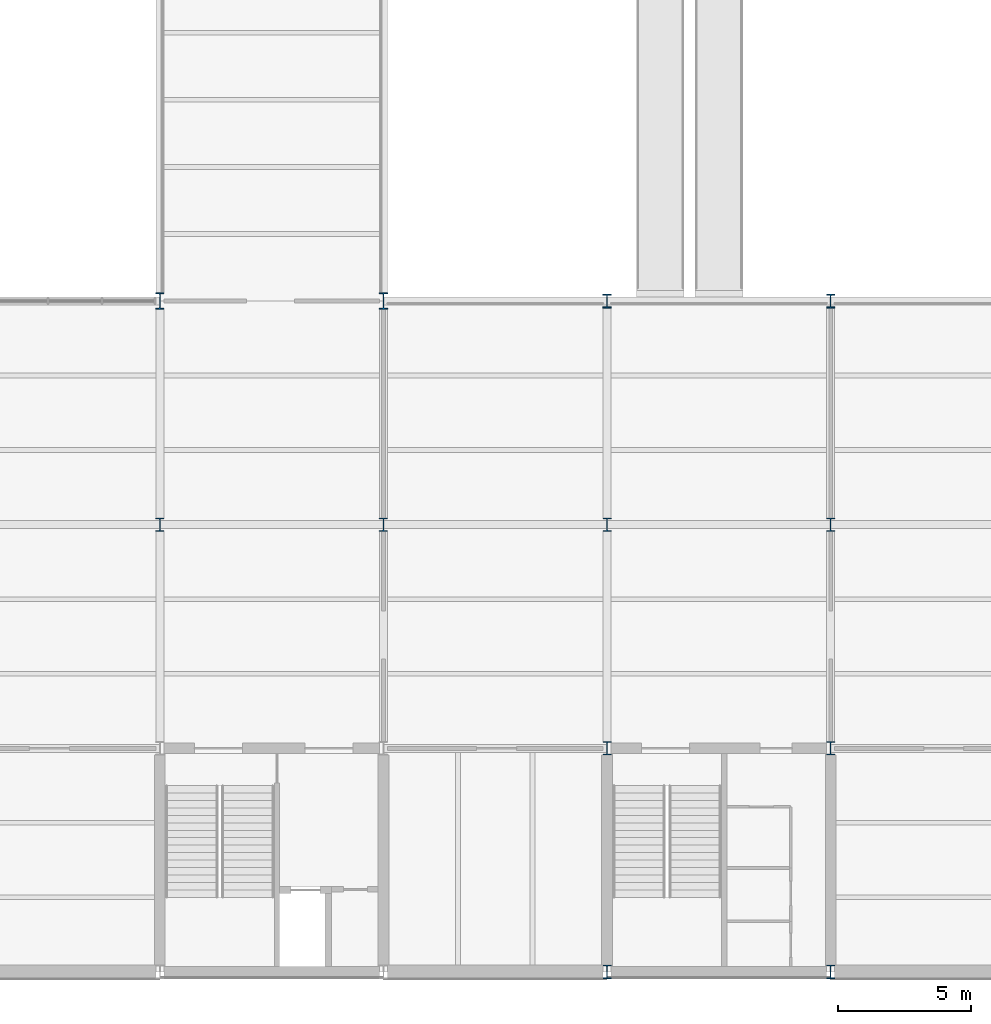
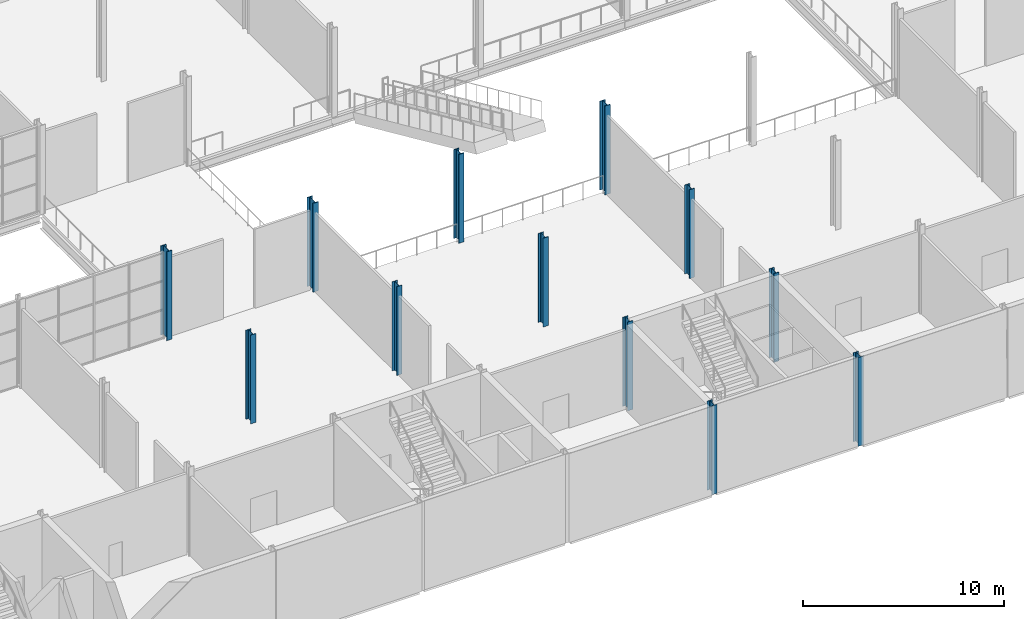
# One storey, part 2 of 64: 12 columns.
"""IFC4 building model written with IfcOpenShell, lengths in metres."""

from ifc_helpers import new_model, si_unit, direction, frame, origin, origin_2d, place, context, subcontext, project, spatial, i_section, extrude, material, material_profile, profile_set, type_object, element, save


model = new_model("IFC4")

# Units and contexts
model_context = context("Model", 3, precision=1e-05, world=origin(), true_north=direction((0.0, 1.0)))
body_context = subcontext(model_context, "Body", "Model", "MODEL_VIEW")
ifc_project = project(units=[si_unit("LENGTHUNIT", "METRE"), si_unit("AREAUNIT", "SQUARE_METRE"), si_unit("VOLUMEUNIT", "CUBIC_METRE"), si_unit("PLANEANGLEUNIT", "RADIAN"), si_unit("MASSUNIT", "GRAM", prefix="KILO")], contexts=[model_context])

# Site, building, storey
site_placement = place(None, origin())
site = spatial("IfcSite", under=ifc_project, at=site_placement, CompositionType="ELEMENT")
building_placement = place(site_placement, origin())
building = spatial("IfcBuilding", under=site, at=building_placement, Name="Galleria Vessillo Department Store", CompositionType="ELEMENT")
storey_placement = place(building_placement, frame((0.0, 0.0, 6.0)))
storey = spatial("IfcBuildingStorey", under=building, at=storey_placement, Name="L01", CompositionType="ELEMENT", Elevation=6.0)

# Columns
ifc_material_1 = material(Name="Steel S355 J2", Category="steel")
ifc_material_profile_1 = material_profile(ifc_material_1, i_section(OverallWidth=0.300048828125, OverallDepth=0.5, WebThickness=0.014404296875, FlangeThickness=0.028076171875, FilletRadius=0.027099609375, at=origin_2d()), Name="HEB 500")
ifc_profile_set_1 = profile_set([ifc_material_profile_1], Name="Steel S355 J2")
column_type_1 = type_object("IfcColumnType", Name="Steel column HEB 500 CP1", PredefinedType="COLUMN", material=ifc_profile_set_1)
for number, where, z_axis, x_axis, name in (
    (1, (33.60009765625, 16.800048828125, 0.0), (0.0, 0.0, 1.0), (1.0, 0.0, 0.0), "S-COL-L01-5-C"),
    (2, (42.0, 16.800048828125, 0.0), (0.0, 0.0, 1.0), (1.0, 0.0, 0.0), "S-COL-L01-6-C"),
    (3, (50.39990234375, 0.0, 0.0), (0.0, 0.0, 1.0), (1.0, 0.0, 0.0), "S-COL-L01-7-A"),
    (4, (50.39990234375, 8.39990234375, 0.0), (0.0, 0.0, 1.0), (1.0, 0.0, 0.0), "S-COL-L01-7-B"),
    (5, (50.39990234375, 16.800048828125, 0.0), (0.0, 0.0, 1.0), (1.0, 0.0, 0.0), "S-COL-L01-7-C"),
    (6, (58.800048828125, 0.0, 0.0), (0.0, 0.0, 1.0), (1.0, 0.0, 0.0), "S-COL-L01-8-A"),
    (7, (58.800048828125, 8.39990234375, 0.0), (0.0, 0.0, 1.0), (1.0, 0.0, 0.0), "S-COL-L01-8-B"),
    (8, (58.800048828125, 16.800048828125, 0.0), (0.0, 0.0, 1.0), (1.0, 0.0, 0.0), "S-COL-L01-8-C"),
):
    element("IfcColumn", number, at=place(storey_placement, frame(where, z_axis=z_axis, x_axis=x_axis)), inside=storey, type_object=column_type_1, Name=name, PredefinedType="COLUMN", context=body_context, shape_type="SweptSolid", body=[
        extrude(i_section(OverallWidth=0.300048828125, OverallDepth=0.5, WebThickness=0.014404296875, FlangeThickness=0.028076171875, FilletRadius=0.027099609375, at=origin_2d()), origin(), (0.0, 0.0, 1.0), 5.39990234375),
    ])
ifc_material_2 = material(Name="Steel S355 J2", Category="steel")
ifc_material_profile_2 = material_profile(ifc_material_2, i_section(OverallWidth=0.305908203125, OverallDepth=0.52392578125, WebThickness=0.02099609375, FlangeThickness=0.0400390625, FilletRadius=0.027099609375, at=origin_2d()), Name="HEM 500")
ifc_profile_set_2 = profile_set([ifc_material_profile_2], Name="Steel S355 J2")
column_type_2 = type_object("IfcColumnType", Name="Steel column HEM 500 CV1", PredefinedType="COLUMN", material=ifc_profile_set_2)
for number, where, z_axis, x_axis, name in (
    (9, (50.39990234375, 25.199951171875, 0.0), (0.0, 0.0, 1.0), (1.0, 0.0, 0.0), "S-COL-L01-7-D"),
    (10, (58.800048828125, 25.199951171875, 0.0), (0.0, 0.0, 1.0), (1.0, 0.0, 0.0), "S-COL-L01-8-D"),
):
    element("IfcColumn", number, at=place(storey_placement, frame(where, z_axis=z_axis, x_axis=x_axis)), inside=storey, type_object=column_type_2, Name=name, PredefinedType="COLUMN", context=body_context, shape_type="SweptSolid", body=[
        extrude(i_section(OverallWidth=0.305908203125, OverallDepth=0.52392578125, WebThickness=0.02099609375, FlangeThickness=0.0400390625, FilletRadius=0.027099609375, at=origin_2d()), origin(), (0.0, 0.0, 1.0), 5.39990234375),
    ])
ifc_material_3 = material(Name="Steel S355 J2", Category="steel")
ifc_material_profile_3 = material_profile(ifc_material_3, i_section(OverallWidth=0.304931640625, OverallDepth=0.6201171875, WebThickness=0.02099609375, FlangeThickness=0.0400390625, FilletRadius=0.027099609375, at=origin_2d()), Name="HEM 600")
ifc_profile_set_3 = profile_set([ifc_material_profile_3], Name="Steel S355 J2")
column_type_3 = type_object("IfcColumnType", Name="Steel column HEM 600 CV2", PredefinedType="COLUMN", material=ifc_profile_set_3)
for number, where, z_axis, x_axis, name in (
    (11, (33.60009765625, 25.199951171875, 0.0), (0.0, 0.0, 1.0), (1.0, 0.0, 0.0), "S-COL-L01-5-D"),
    (12, (42.0, 25.199951171875, 0.0), (0.0, 0.0, 1.0), (1.0, 0.0, 0.0), "S-COL-L01-6-D"),
):
    element("IfcColumn", number, at=place(storey_placement, frame(where, z_axis=z_axis, x_axis=x_axis)), inside=storey, type_object=column_type_3, Name=name, PredefinedType="COLUMN", context=body_context, shape_type="SweptSolid", body=[
        extrude(i_section(OverallWidth=0.304931640625, OverallDepth=0.6201171875, WebThickness=0.02099609375, FlangeThickness=0.0400390625, FilletRadius=0.027099609375, at=origin_2d()), origin(), (0.0, 0.0, 1.0), 5.39990234375),
    ])

save(model, "model.ifc")
